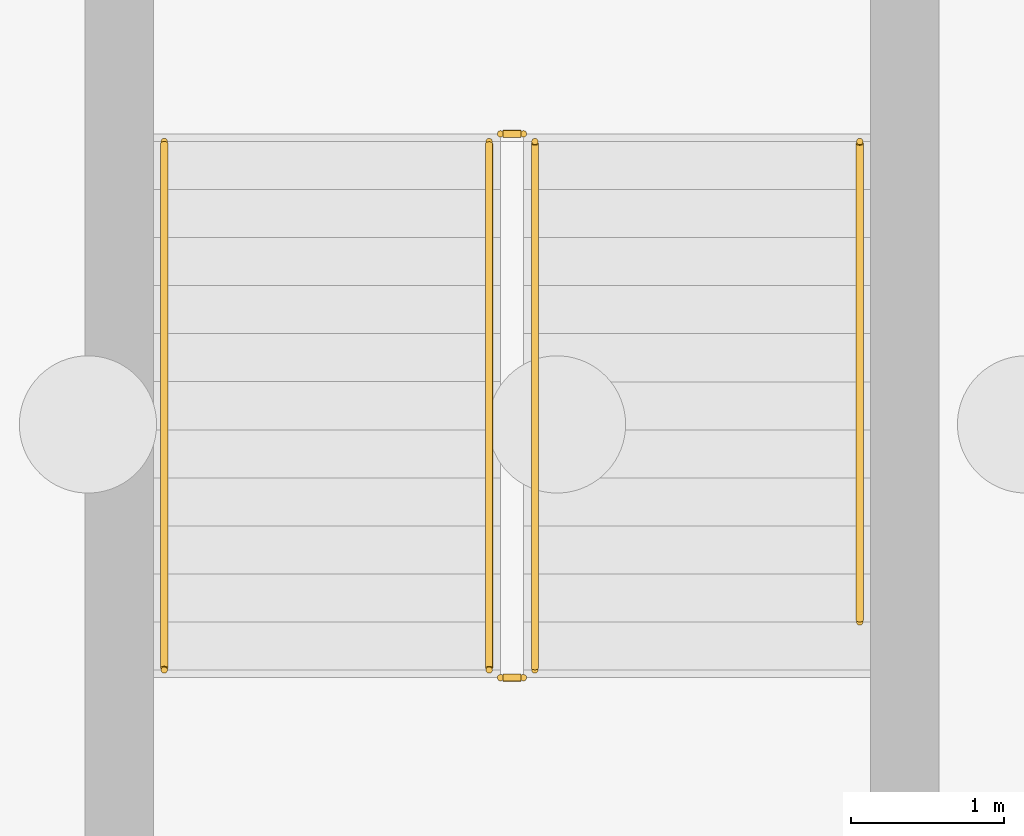
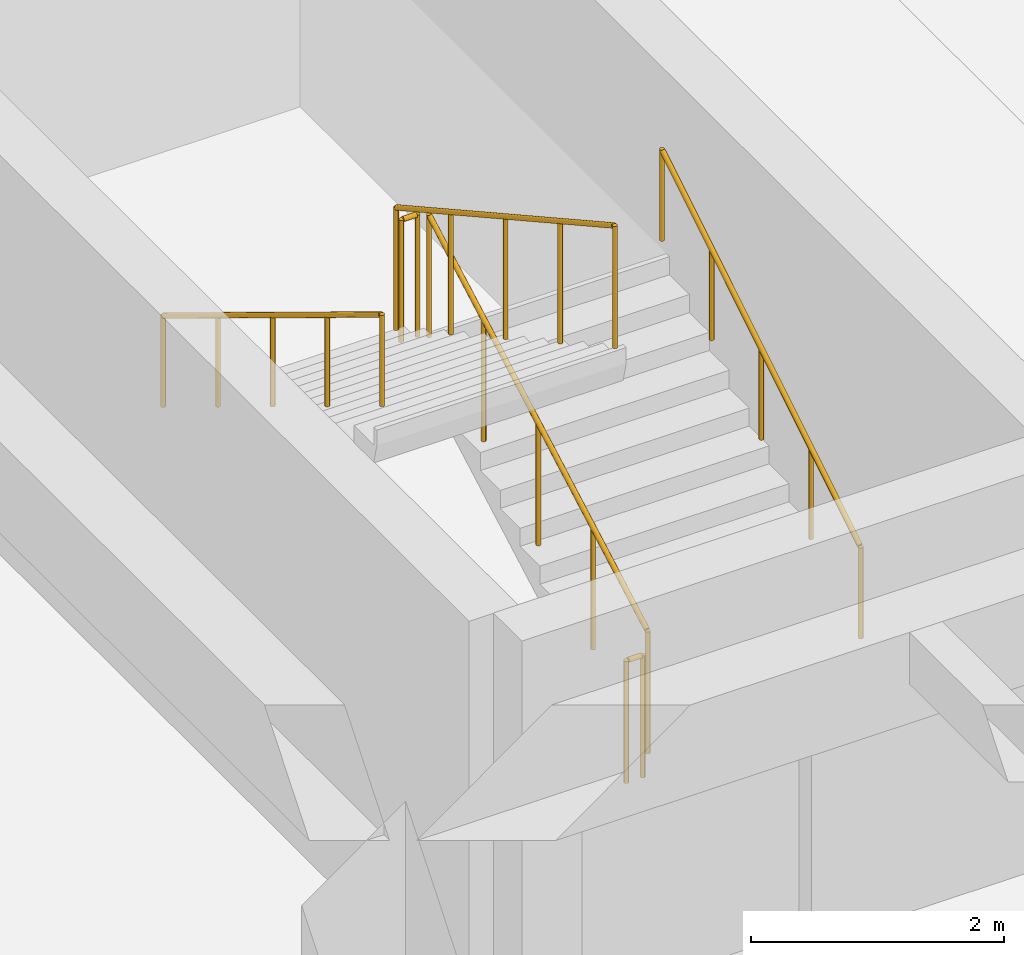
# One storey, part 36 of 39: 6 railings.
"""IFC4 building model written with IfcOpenShell, lengths in metres."""

from ifc_helpers import new_model, si_unit, direction, frame, origin, origin_2d, place, context, subcontext, project, spatial, circle, extrude, material, type_object, element, save


model = new_model("IFC4")

# Units and contexts
model_context = context("Model", 3, precision=1e-05, world=origin(), true_north=direction((0.0, 1.0)))
body_context = subcontext(model_context, "Body", "Model", "MODEL_VIEW")
ifc_project = project(units=[si_unit("LENGTHUNIT", "METRE"), si_unit("AREAUNIT", "SQUARE_METRE"), si_unit("VOLUMEUNIT", "CUBIC_METRE"), si_unit("PLANEANGLEUNIT", "RADIAN"), si_unit("MASSUNIT", "GRAM", prefix="KILO")], contexts=[model_context])

# Site, building, storey
site_placement = place(None, origin())
site = spatial("IfcSite", under=ifc_project, at=site_placement, CompositionType="ELEMENT")
building_placement = place(site_placement, origin())
building = spatial("IfcBuilding", under=site, at=building_placement, Name="Nakhvara Creek Congress Hotel", CompositionType="ELEMENT")
storey_placement = place(building_placement, frame((0.0, 0.0, -8.39990234375)))
storey = spatial("IfcBuildingStorey", under=building, at=storey_placement, Name="B2", CompositionType="ELEMENT", Elevation=-8.39990234375)

# Railings
ifc_material = material(Name="Brushed stainless steel 316L", Category="steel")
railing_type_1 = type_object("IfcRailingType", Name="RL-GUARD-1200", PredefinedType="GUARDRAIL", material=ifc_material)
railing_1_placement = place(storey_placement, frame((129.455078125, 32.679931640625, 0.1748046875)))
element("IfcRailing", 1, at=railing_1_placement, inside=storey, type_object=railing_type_1, Name="B2 ST06 stair guard 1", PredefinedType="GUARDRAIL", context=body_context, shape_type="SweptSolid", body=[
    extrude(circle(Radius=0.02392578125, at=origin_2d()), frame((0.0, 0.012939453125, 1.18310546875), z_axis=(0.0, 0.874157276122, 0.485642931179), x_axis=(-1.0, 0.0, 0.0)), (0.0, 0.0, 1.0), 3.9345703125),
    extrude(circle(Radius=0.02099609375, at=origin_2d()), origin(), (0.0, 0.0, 1.0), 1.1806640625),
    extrude(circle(Radius=0.02099609375, at=origin_2d()), frame((0.0, 0.8662109375, 0.481201171875)), (0.0, 0.0, 1.0), 1.1806640625),
    extrude(circle(Radius=0.02099609375, at=origin_2d()), frame((0.0, 1.732421875, 0.96240234375)), (0.0, 0.0, 1.0), 1.1806640625),
    extrude(circle(Radius=0.02099609375, at=origin_2d()), frame((0.0, 2.598876953125, 1.44384765625)), (0.0, 0.0, 1.0), 1.1806640625),
    extrude(circle(Radius=0.02099609375, at=origin_2d()), frame((0.0, 3.465087890625, 1.925048828125)), (0.0, 0.0, 1.0), 1.1806640625),
])
railing_2_placement = place(storey_placement, frame((129.3798828125, 36.195068359375, 2.099853515625)))
element("IfcRailing", 2, at=railing_2_placement, inside=storey, type_object=railing_type_1, Name="B2 ST06 stair guard 2", PredefinedType="GUARDRAIL", context=body_context, shape_type="SweptSolid", body=[
    extrude(circle(Radius=0.02392578125, at=origin_2d()), frame((-0.0146484375, 0.0, 1.17578125), z_axis=(-1.0, 0.0, 0.0), x_axis=(0.0, -1.0, 0.0)), (0.0, 0.0, 1.0), 0.12060546875),
    extrude(circle(Radius=0.02099609375, at=origin_2d()), origin(), (0.0, 0.0, 1.0), 1.1806640625),
    extrude(circle(Radius=0.02099609375, at=origin_2d()), frame((-0.14990234375, 0.0, 0.0)), (0.0, 0.0, 1.0), 1.1806640625),
])
railing_3_placement = place(storey_placement, frame((129.155029296875, 36.14501953125, 2.27490234375)))
element("IfcRailing", 3, at=railing_3_placement, inside=storey, type_object=railing_type_1, Name="B2 ST06 stair guard 3", PredefinedType="GUARDRAIL", context=body_context, shape_type="SweptSolid", body=[
    extrude(circle(Radius=0.02392578125, at=origin_2d()), frame((0.0, -0.012939453125, 1.18310546875), z_axis=(0.0, -0.874157276122, 0.485642931179), x_axis=(1.0, 0.0, 0.0)), (0.0, 0.0, 1.0), 3.9345703125),
    extrude(circle(Radius=0.02099609375, at=origin_2d()), origin(), (0.0, 0.0, 1.0), 1.1806640625),
    extrude(circle(Radius=0.02099609375, at=origin_2d()), frame((0.0, -0.8662109375, 0.481201171875)), (0.0, 0.0, 1.0), 1.1806640625),
    extrude(circle(Radius=0.02099609375, at=origin_2d()), frame((0.0, -1.732421875, 0.96240234375)), (0.0, 0.0, 1.0), 1.1806640625),
    extrude(circle(Radius=0.02099609375, at=origin_2d()), frame((0.0, -2.598876953125, 1.44384765625)), (0.0, 0.0, 1.0), 1.1806640625),
    extrude(circle(Radius=0.02099609375, at=origin_2d()), frame((0.0, -3.465087890625, 1.925048828125)), (0.0, 0.0, 1.0), 1.1806640625),
])
railing_4_placement = place(storey_placement, frame((129.3798828125, 32.6298828125, 0.0)))
element("IfcRailing", 4, at=railing_4_placement, inside=storey, type_object=railing_type_1, Name="B2 ST06 stair guard 4", PredefinedType="GUARDRAIL", context=body_context, shape_type="SweptSolid", body=[
    extrude(circle(Radius=0.02392578125, at=origin_2d()), frame((-0.0146484375, 0.0, 1.17578125), z_axis=(-1.0, 0.0, 0.0), x_axis=(0.0, -1.0, 0.0)), (0.0, 0.0, 1.0), 0.12060546875),
    extrude(circle(Radius=0.02099609375, at=origin_2d()), origin(), (0.0, 0.0, 1.0), 1.1806640625),
    extrude(circle(Radius=0.02099609375, at=origin_2d()), frame((-0.14990234375, 0.0, 0.0)), (0.0, 0.0, 1.0), 1.1806640625),
])
railing_type_2 = type_object("IfcRailingType", Name="RL-HAND-900", PredefinedType="HANDRAIL", material=ifc_material)
railing_5_placement = place(storey_placement, frame((131.5849609375, 32.9951171875, 0.349853515625)))
element("IfcRailing", 5, at=railing_5_placement, inside=storey, type_object=railing_type_2, Name="B2 ST06 stair handrail 1", PredefinedType="HANDRAIL", context=body_context, shape_type="SweptSolid", body=[
    extrude(circle(Radius=0.02392578125, at=origin_2d()), frame((0.0, 0.012451171875, 0.883544921875), z_axis=(0.0, 0.85194385619, 0.523633140567), x_axis=(-1.0, 0.0, 0.0)), (0.0, 0.0, 1.0), 3.66796875),
    extrude(circle(Radius=0.02099609375, at=origin_2d()), origin(), (0.0, 0.0, 1.0), 0.880615234375),
    extrude(circle(Radius=0.02099609375, at=origin_2d()), frame((0.0, 0.78759765625, 0.48388671875)), (0.0, 0.0, 1.0), 0.880615234375),
    extrude(circle(Radius=0.02099609375, at=origin_2d()), frame((0.0, 1.574951171875, 0.968017578125)), (0.0, 0.0, 1.0), 0.880615234375),
    extrude(circle(Radius=0.02099609375, at=origin_2d()), frame((0.0, 2.3623046875, 1.4521484375)), (0.0, 0.0, 1.0), 0.880615234375),
    extrude(circle(Radius=0.02099609375, at=origin_2d()), frame((0.0, 3.14990234375, 1.93603515625)), (0.0, 0.0, 1.0), 0.880615234375),
])
railing_6_placement = place(storey_placement, frame((127.02490234375, 36.14501953125, 2.27490234375)))
element("IfcRailing", 6, at=railing_6_placement, inside=storey, type_object=railing_type_2, Name="B2 ST06 stair handrail 2", PredefinedType="HANDRAIL", context=body_context, shape_type="SweptSolid", body=[
    extrude(circle(Radius=0.02392578125, at=origin_2d()), frame((0.0, -0.012451171875, 0.883544921875), z_axis=(0.0, -0.853990507121, 0.520288586985), x_axis=(1.0, 0.0, 0.0)), (0.0, 0.0, 1.0), 4.028076171875),
    extrude(circle(Radius=0.02099609375, at=origin_2d()), origin(), (0.0, 0.0, 1.0), 0.880615234375),
    extrude(circle(Radius=0.02099609375, at=origin_2d()), frame((0.0, -0.8662109375, 0.52783203125)), (0.0, 0.0, 1.0), 0.880615234375),
    extrude(circle(Radius=0.02099609375, at=origin_2d()), frame((0.0, -1.732421875, 1.0556640625)), (0.0, 0.0, 1.0), 0.880615234375),
    extrude(circle(Radius=0.02099609375, at=origin_2d()), frame((0.0, -2.598876953125, 1.583251953125)), (0.0, 0.0, 1.0), 0.880615234375),
    extrude(circle(Radius=0.02099609375, at=origin_2d()), frame((0.0, -3.465087890625, 2.111083984375)), (0.0, 0.0, 1.0), 0.880615234375),
])

save(model, "model.ifc")
